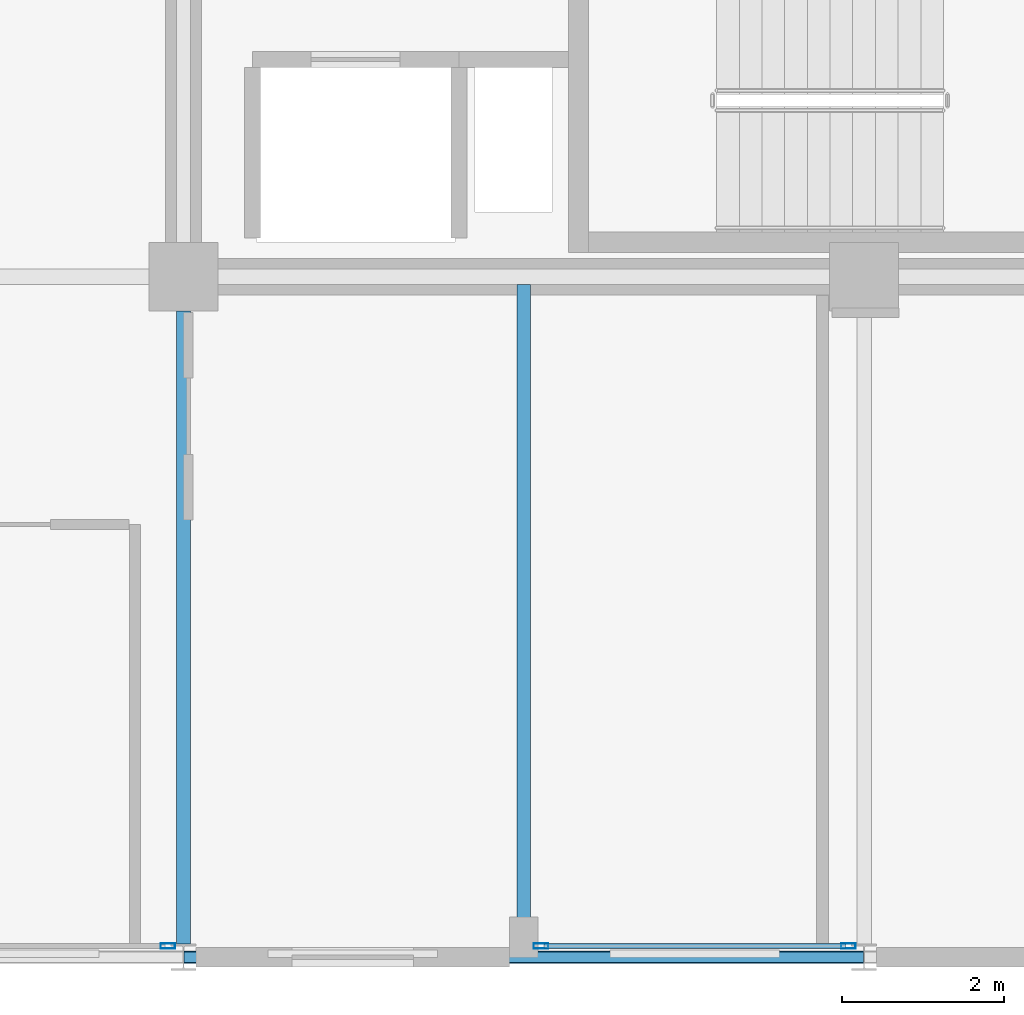
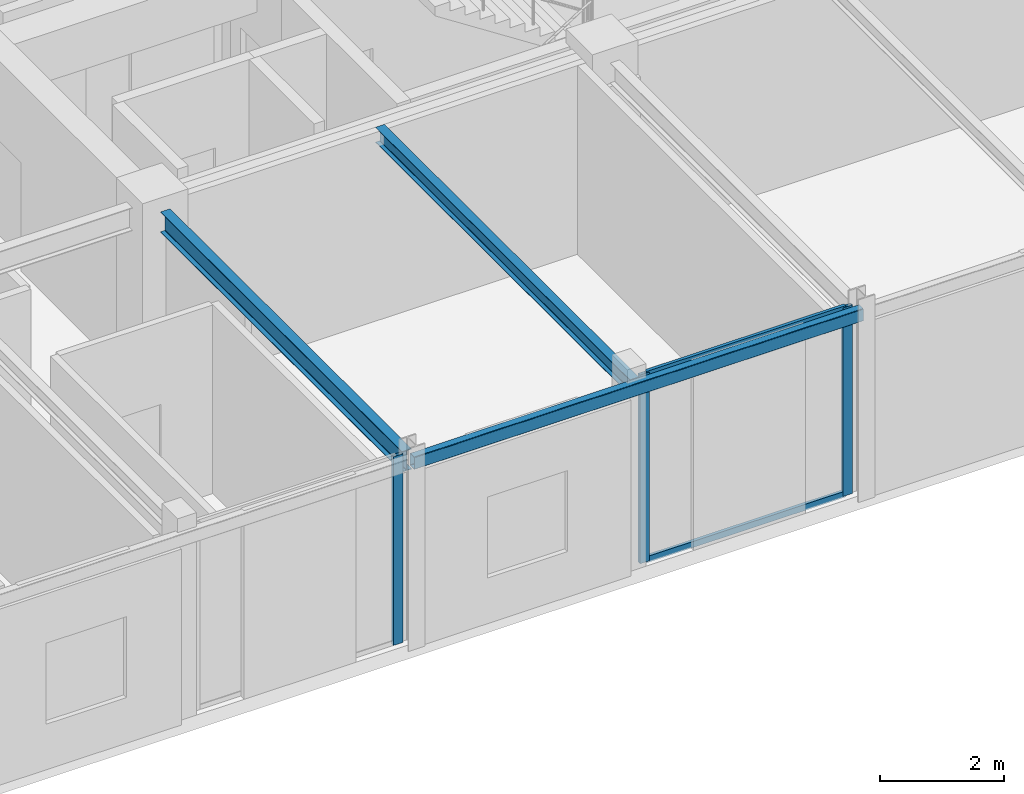
# One storey, part 7 of 26: 5 members, 3 beams, 2 elements without a shape of their own.
"""IFC4 building model written with IfcOpenShell, lengths in metres."""

from ifc_helpers import new_model, si_unit, direction, frame, origin, origin_2d, place, context, subcontext, project, spatial, hollow_rectangle, i_section, extrude, material, layer, layer_set, material_profile, profile_set, type_object, element, aggregate, save


model = new_model("IFC4")

# Units and contexts
model_context = context("Model", 3, precision=1e-05, world=origin(), true_north=direction((0.0, 1.0)))
body_context = subcontext(model_context, "Body", "Model", "MODEL_VIEW")
ifc_project = project(units=[si_unit("LENGTHUNIT", "METRE"), si_unit("AREAUNIT", "SQUARE_METRE"), si_unit("VOLUMEUNIT", "CUBIC_METRE"), si_unit("PLANEANGLEUNIT", "RADIAN"), si_unit("MASSUNIT", "GRAM", prefix="KILO")], contexts=[model_context])

# Site, building, storey
site_placement = place(None, origin())
site = spatial("IfcSite", under=ifc_project, at=site_placement, CompositionType="ELEMENT")
building_placement = place(site_placement, origin())
building = spatial("IfcBuilding", under=site, at=building_placement, Name="Nerrivon Quay Data Exchange", CompositionType="ELEMENT")
storey_placement = place(building_placement, frame((0.0, 0.0, 258.199951171875)))
storey = spatial("IfcBuildingStorey", under=building, at=storey_placement, Name="L61", CompositionType="ELEMENT", Elevation=258.199951171875)

# Beams
ifc_material_1 = material(Name="Steel Grade 350", Category="steel")
ifc_material_profile_1 = material_profile(ifc_material_1, i_section(OverallWidth=0.177978515625, OverallDepth=0.406005859375, WebThickness=0.0078125, FlangeThickness=0.0126953125, FilletRadius=0.011474609375, at=origin_2d()), Name="410UB59.7")
ifc_profile_set_1 = profile_set([ifc_material_profile_1], Name="Steel Grade 350")
beam_type_1 = type_object("IfcBeamType", Name="BM-J1-410UB60", PredefinedType="JOIST", material=ifc_profile_set_1)
beam_1_placement = place(storey_placement, frame((16.800048828125, 0.16357421875, 3.52197265625), z_axis=(0.0, 1.0, 0.0), x_axis=(-1.0, 0.0, 0.0)))
element("IfcBeam", 1, at=beam_1_placement, inside=storey, type_object=beam_type_1, Name="L61 NS Girder X=16.8 (0.0..8.4)", PredefinedType="JOIST", context=body_context, shape_type="SweptSolid", body=[
    extrude(i_section(OverallWidth=0.177978515625, OverallDepth=0.406005859375, WebThickness=0.0078125, FlangeThickness=0.0126953125, FilletRadius=0.011474609375, at=origin_2d()), origin(), (0.0, 0.0, 1.0), 7.8115234375),
])
ifc_material_profile_2 = material_profile(ifc_material_1, i_section(OverallWidth=0.1650390625, OverallDepth=0.303955078125, WebThickness=0.006103515625, FlangeThickness=0.01025390625, FilletRadius=0.011474609375, at=origin_2d()), Name="310UB40.4")
ifc_profile_set_2 = profile_set([ifc_material_profile_2], Name="Steel Grade 350")
beam_type_2 = type_object("IfcBeamType", Name="BM-J6-310UB40", PredefinedType="JOIST", material=ifc_profile_set_2)
beam_2_placement = place(storey_placement, frame((21.0, 0.074951171875, 3.572998046875), z_axis=(0.0, 1.0, 0.0), x_axis=(-1.0, 0.0, 0.0)))
element("IfcBeam", 2, at=beam_2_placement, inside=storey, type_object=beam_type_2, Name="L61 Secondary Joist X=21.0 (0.0..8.4)", PredefinedType="JOIST", context=body_context, shape_type="SweptSolid", body=[
    extrude(i_section(OverallWidth=0.1650390625, OverallDepth=0.303955078125, WebThickness=0.006103515625, FlangeThickness=0.01025390625, FilletRadius=0.011474609375, at=origin_2d()), origin(), (0.0, 0.0, 1.0), 8.22998046875),
])
ifc_material_2 = material(Name="Steel Grade C350L0 (350 MPa)", Category="steel")
ifc_material_profile_3 = material_profile(ifc_material_2, hollow_rectangle(XDim=0.14990234375, YDim=0.25, WallThickness=0.009033203125, InnerFilletRadius=0.013427734375, OuterFilletRadius=0.0224609375, at=origin_2d()), Name="250x150x9.0RHS")
ifc_profile_set_3 = profile_set([ifc_material_profile_3], Name="Steel Grade C350L0 (350 MPa)")
beam_type_3 = type_object("IfcBeamType", Name="BM-SP4-250x150RHS", PredefinedType="SPANDREL", material=ifc_profile_set_3)
beam_3_placement = place(storey_placement, frame((16.807861328125, 0.0, 3.60009765625), z_axis=(1.0, 0.0, 0.0), x_axis=(0.0, 1.0, 0.0)))
element("IfcBeam", 3, at=beam_3_placement, inside=storey, type_object=beam_type_3, Name="L61 EW Girder Y=0.0 (16.8..25.2)", PredefinedType="SPANDREL", context=body_context, shape_type="SweptSolid", body=[
    extrude(hollow_rectangle(XDim=0.14990234375, YDim=0.25, WallThickness=0.009033203125, InnerFilletRadius=0.013427734375, OuterFilletRadius=0.0224609375, at=origin_2d()), origin(), (0.0, 0.0, 1.0), 8.38427734375),
])

# Curtain wall, members
ifc_material_3 = material(Name="Anodised aluminium 6063-T6", Category="aluminium")
ifc_layer = layer(ifc_material_3, 0.195068359375)
ifc_layer_set = layer_set([ifc_layer], Name="Anodised aluminium 6063-T6")
curtain_wall_type = type_object("IfcCurtainWallType", Name="CW-SYS-06", PredefinedType="NOTDEFINED", material=ifc_layer_set)
curtain_wall_1_placement = place(storey_placement, origin())
curtain_wall_1 = element("IfcCurtainWall", 4, at=curtain_wall_1_placement, inside=storey, type_object=curtain_wall_type, Name="L61 Unitised Curtain Wall 4", PredefinedType="NOTDEFINED")
ifc_material_profile_4 = material_profile(ifc_material_3, hollow_rectangle(XDim=0.06494140625, YDim=0.179931640625, WallThickness=0.00341796875, at=origin_2d()), Name="ALU-MULL-180x65")
ifc_profile_set_4 = profile_set([ifc_material_profile_4], Name="Anodised aluminium 6063-T6")
member_type_1 = type_object("IfcMemberType", Name="CWM-180x65", PredefinedType="MULLION", material=ifc_profile_set_4)
member_1_placement = place(storey_placement, frame((25.007080078125, 0.139892578125, 0.0), z_axis=(0.0, 0.0, 1.0), x_axis=(0.0, -1.0, 0.0)))
member_1 = element("IfcMember", 5, at=member_1_placement, type_object=member_type_1, Name="CW06 mullion 1", PredefinedType="MULLION", context=body_context, shape_type="SweptSolid", body=[
    extrude(hollow_rectangle(XDim=0.06494140625, YDim=0.179931640625, WallThickness=0.00341796875, at=origin_2d()), origin(), (0.0, 0.0, 1.0), 3.72509765625),
])
member_2_placement = place(storey_placement, frame((21.21240234375, 0.139892578125, 0.0), z_axis=(0.0, 0.0, 1.0), x_axis=(0.0, -1.0, 0.0)))
member_2 = element("IfcMember", 6, at=member_2_placement, type_object=member_type_1, Name="CW06 mullion 2", PredefinedType="MULLION", context=body_context, shape_type="SweptSolid", body=[
    extrude(hollow_rectangle(XDim=0.06494140625, YDim=0.179931640625, WallThickness=0.00341796875, at=origin_2d()), origin(), (0.0, 0.0, 1.0), 3.72509765625),
])

# Curtain wall, member
curtain_wall_2_placement = place(storey_placement, origin())
curtain_wall_2 = element("IfcCurtainWall", 7, at=curtain_wall_2_placement, inside=storey, type_object=curtain_wall_type, Name="L61 Unitised Curtain Wall 6", PredefinedType="NOTDEFINED")
member_3_placement = place(storey_placement, frame((16.60693359375, 0.139892578125, 0.0), z_axis=(0.0, 0.0, 1.0), x_axis=(0.0, -1.0, 0.0)))
member_3 = element("IfcMember", 8, at=member_3_placement, type_object=member_type_1, Name="CW06 mullion 1", PredefinedType="MULLION", context=body_context, shape_type="SweptSolid", body=[
    extrude(hollow_rectangle(XDim=0.06494140625, YDim=0.179931640625, WallThickness=0.00341796875, at=origin_2d()), origin(), (0.0, 0.0, 1.0), 3.72509765625),
])
aggregate(curtain_wall_2, [member_3])

# Member
ifc_material_profile_5 = material_profile(ifc_material_3, hollow_rectangle(XDim=0.06005859375, YDim=0.1201171875, WallThickness=0.003173828125, at=origin_2d()), Name="ALU-TRAN-120x60")
ifc_profile_set_5 = profile_set([ifc_material_profile_5], Name="Anodised aluminium 6063-T6")
member_type_2 = type_object("IfcMemberType", Name="CWT-120x60", PredefinedType="USERDEFINED", material=ifc_profile_set_5)
member_4_placement = place(storey_placement, frame((24.969482421875, 0.139892578125, 0.032470703125), z_axis=(-1.0, 0.0, 0.0), x_axis=(0.0, -1.0, 0.0)))
member_4 = element("IfcMember", 9, at=member_4_placement, type_object=member_type_2, Name="CW06 transom 1.1", ObjectType="TRANSOM", PredefinedType="USERDEFINED", context=body_context, shape_type="SweptSolid", body=[
    extrude(hollow_rectangle(XDim=0.06005859375, YDim=0.1201171875, WallThickness=0.003173828125, at=origin_2d()), origin(), (0.0, 0.0, 1.0), 3.719482421875),
])

member_5_placement = place(storey_placement, frame((24.969482421875, 0.139892578125, 3.692626953125), z_axis=(-1.0, 0.0, 0.0), x_axis=(0.0, -1.0, 0.0)))
member_5 = element("IfcMember", 10, at=member_5_placement, type_object=member_type_2, Name="CW06 transom 1.2", ObjectType="TRANSOM", PredefinedType="USERDEFINED", context=body_context, shape_type="SweptSolid", body=[
    extrude(hollow_rectangle(XDim=0.06005859375, YDim=0.1201171875, WallThickness=0.003173828125, at=origin_2d()), origin(), (0.0, 0.0, 1.0), 3.719482421875),
])

aggregate(curtain_wall_1, [member_1, member_2, member_4, member_5])

save(model, "model.ifc")
